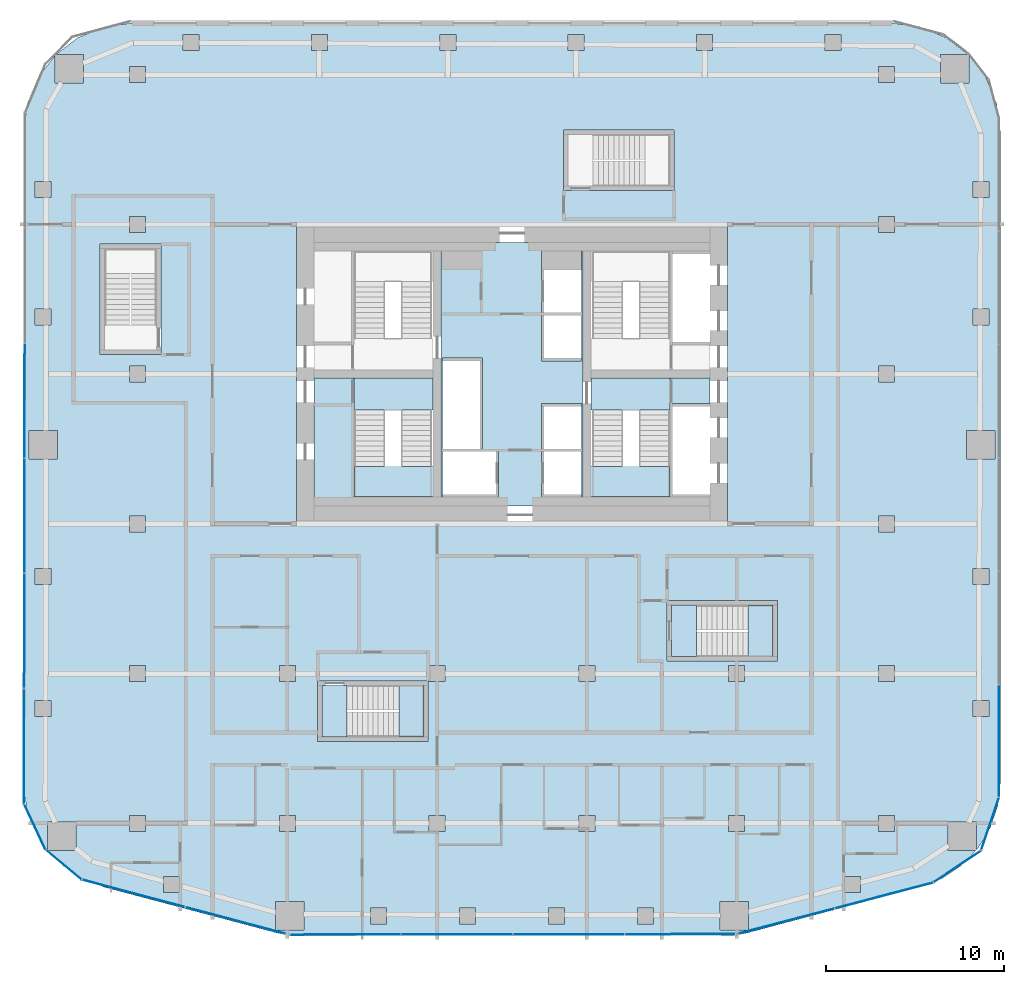
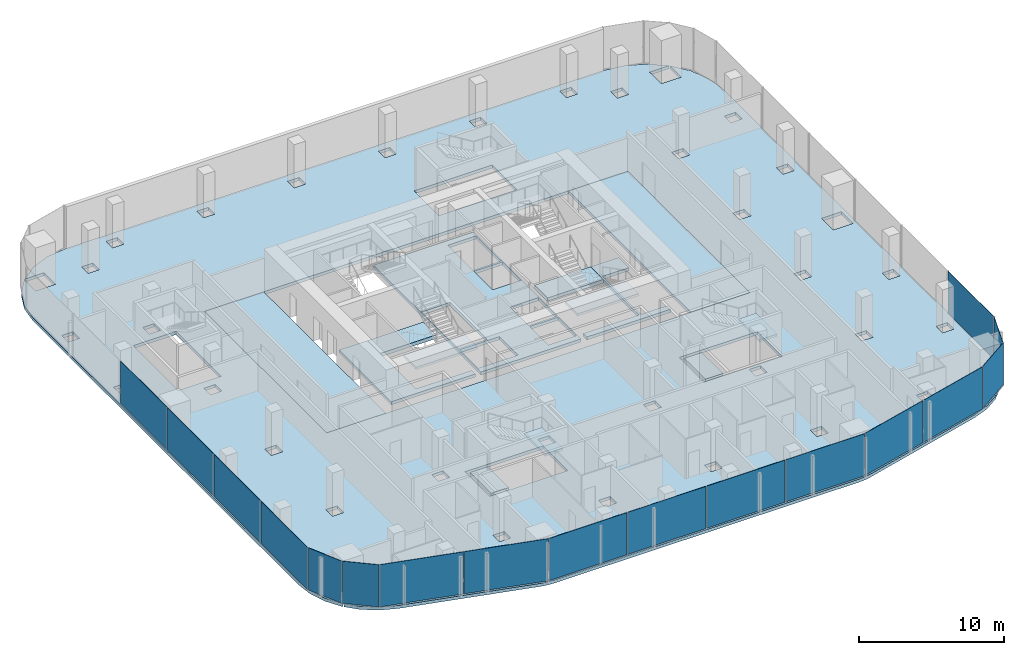
# One storey, part 12 of 21: 17 plates, 14 slabs, 13 elements without a shape of their own.
"""IFC4 building model written with IfcOpenShell, lengths in metres."""

from ifc_helpers import new_model, si_unit, direction, frame, origin, origin_2d, place, context, subcontext, project, spatial, polyline, rectangle, outline, extrude, material, layer, layer_set, type_object, element, aggregate, save


model = new_model("IFC4")

# Units and contexts
model_context = context("Model", 3, precision=1e-05, world=origin(), true_north=direction((0.0, 1.0)))
body_context = subcontext(model_context, "Body", "Model", "MODEL_VIEW")
ifc_project = project(units=[si_unit("LENGTHUNIT", "METRE"), si_unit("AREAUNIT", "SQUARE_METRE"), si_unit("VOLUMEUNIT", "CUBIC_METRE"), si_unit("PLANEANGLEUNIT", "RADIAN"), si_unit("MASSUNIT", "GRAM", prefix="KILO")], contexts=[model_context])

# Site, building, storey
site_placement = place(None, origin())
site = spatial("IfcSite", under=ifc_project, at=site_placement, CompositionType="ELEMENT")
building_placement = place(site_placement, origin())
building = spatial("IfcBuilding", under=site, at=building_placement, Name="Marenta Gate Hotel Tower", CompositionType="ELEMENT")
storey_placement = place(building_placement, frame((0.0, 0.0, 133.699951171875)))
storey = spatial("IfcBuildingStorey", under=building, at=storey_placement, Name="L30", CompositionType="ELEMENT", Elevation=133.699951171875)

# Slabs
ifc_material_1 = material(Name="Concrete C35", Category="concrete")
ifc_layer_1 = layer(ifc_material_1, 0.260009765625)
ifc_layer_set_1 = layer_set([ifc_layer_1], Name="Concrete C35")
slab_type_1 = type_object("IfcSlabType", Name="Concrete floor slab 260", PredefinedType="FLOOR", material=ifc_layer_set_1)
slab_1_placement = place(storey_placement, frame((0.0, 0.0, -0.260009765625)))
element("IfcSlab", 1, at=slab_1_placement, inside=storey, type_object=slab_type_1, Name="L30-SL-1", PredefinedType="FLOOR", context=body_context, shape_type="SweptSolid", body=[
    extrude(outline(polyline([(-25.213623046875, -19.1640625), (-26.011474609375, -18.3330078125), (-24.462890625, -18.3330078125), (-24.462890625, -16.73291015625), (-26.06298828125, -16.73291015625), (-26.06298828125, -18.279296875), (-26.13525390625, -18.2041015625), (-26.826904296875, -17.06689453125), (-27.25537109375, -15.80712890625), (-27.39990234375, -14.48974609375), (-27.39990234375, 22.006591796875), (-27.193115234375, 23.5791015625), (-26.58349609375, 25.050537109375), (-25.635498046875, 26.285888671875), (-25.635498046875, 24.735595703125), (-24.035400390625, 24.735595703125), (-24.035400390625, 26.33544921875), (-25.585693359375, 26.33544921875), (-24.350341796875, 27.283447265625), (-22.87890625, 27.89306640625), (-21.306640625, 28.10009765625), (21.306640625, 28.10009765625), (22.87890625, 27.89306640625), (24.350341796875, 27.283447265625), (25.585693359375, 26.33544921875), (24.035400390625, 26.33544921875), (24.035400390625, 24.735595703125), (25.635498046875, 24.735595703125), (25.635498046875, 26.285888671875), (26.58349609375, 25.050537109375), (27.193115234375, 23.5791015625), (27.39990234375, 22.006591796875), (27.39990234375, -14.48974609375), (27.25537109375, -15.80712890625), (26.826904296875, -17.06689453125), (26.13525390625, -18.2041015625), (26.06298828125, -18.279296875), (26.06298828125, -16.73291015625), (24.462890625, -16.73291015625), (24.462890625, -18.3330078125), (26.011474609375, -18.3330078125), (25.213623046875, -19.1640625), (24.105712890625, -19.9013671875), (22.86962890625, -20.37890625), (13.126708984375, -22.963623046875), (12.608642578125, -23.065673828125), (12.08154296875, -23.10009765625), (-12.08154296875, -23.10009765625), (-12.608642578125, -23.065673828125), (-13.126708984375, -22.963623046875), (-22.86962890625, -20.37890625), (-24.105712890625, -19.9013671875), (-25.213623046875, -19.1640625)]), holes=[polyline([(-16.800048828125, 0.0), (16.800048828125, 0.0), (16.800048828125, 16.800048828125), (-16.800048828125, 16.800048828125), (-16.800048828125, 0.0)]), polyline([(-18.65673828125, -19.7890625), (-19.556884765625, -19.7890625), (-19.556884765625, -20.689208984375), (-18.65673828125, -20.689208984375), (-18.65673828125, -19.7890625)]), polyline([(-20.550048828125, -17.25), (-20.550048828125, -16.35009765625), (-21.449951171875, -16.35009765625), (-21.449951171875, -17.25), (-20.550048828125, -17.25)]), polyline([(-12.14990234375, -16.35009765625), (-13.050048828125, -16.35009765625), (-13.050048828125, -17.25), (-12.14990234375, -17.25), (-12.14990234375, -16.35009765625)]), polyline([(-25.85009765625, -10.802001953125), (-25.85009765625, -9.90185546875), (-26.75, -9.90185546875), (-26.75, -10.802001953125), (-25.85009765625, -10.802001953125)]), polyline([(-20.550048828125, -8.85009765625), (-20.550048828125, -7.949951171875), (-21.449951171875, -7.949951171875), (-21.449951171875, -8.85009765625), (-20.550048828125, -8.85009765625)]), polyline([(-25.85009765625, -2.5009765625), (-26.75, -2.5009765625), (-26.75, -3.40087890625), (-25.85009765625, -3.40087890625), (-25.85009765625, -2.5009765625)]), polyline([(-20.550048828125, -0.449951171875), (-20.550048828125, 0.449951171875), (-21.449951171875, 0.449951171875), (-21.449951171875, -0.449951171875), (-20.550048828125, -0.449951171875)]), polyline([(-25.5, 3.64990234375), (-25.5, 5.25), (-27.10009765625, 5.25), (-27.10009765625, 3.64990234375), (-25.5, 3.64990234375)]), polyline([(-20.550048828125, 8.85009765625), (-21.449951171875, 8.85009765625), (-21.449951171875, 7.949951171875), (-20.550048828125, 7.949951171875), (-20.550048828125, 8.85009765625)]), polyline([(-25.85009765625, 11.1533203125), (-25.85009765625, 12.05322265625), (-26.75, 12.05322265625), (-26.75, 11.1533203125), (-25.85009765625, 11.1533203125)]), polyline([(-20.550048828125, 16.35009765625), (-20.550048828125, 17.25), (-21.449951171875, 17.25), (-21.449951171875, 16.35009765625), (-20.550048828125, 16.35009765625)]), polyline([(-25.85009765625, 19.206298828125), (-26.75, 19.206298828125), (-26.75, 18.306396484375), (-25.85009765625, 18.306396484375), (-25.85009765625, 19.206298828125)]), polyline([(-20.550048828125, 24.75), (-20.550048828125, 25.64990234375), (-21.449951171875, 25.64990234375), (-21.449951171875, 24.75), (-20.550048828125, 24.75)]), polyline([(-17.556884765625, 27.449951171875), (-18.456787109375, 27.449951171875), (-18.456787109375, 26.550048828125), (-17.556884765625, 26.550048828125), (-17.556884765625, 27.449951171875)]), polyline([(-7.030029296875, -22.449951171875), (-7.030029296875, -21.550048828125), (-7.93017578125, -21.550048828125), (-7.93017578125, -22.449951171875), (-7.030029296875, -22.449951171875)]), polyline([(-2.04345703125, -22.449951171875), (-2.04345703125, -21.550048828125), (-2.943359375, -21.550048828125), (-2.943359375, -22.449951171875), (-2.04345703125, -22.449951171875)]), polyline([(2.943359375, -21.550048828125), (2.04345703125, -21.550048828125), (2.04345703125, -22.449951171875), (2.943359375, -22.449951171875), (2.943359375, -21.550048828125)]), polyline([(7.93017578125, -22.449951171875), (7.93017578125, -21.550048828125), (7.030029296875, -21.550048828125), (7.030029296875, -22.449951171875), (7.93017578125, -22.449951171875)]), polyline([(-11.666259765625, -22.77490234375), (-11.666259765625, -21.1748046875), (-13.266357421875, -21.1748046875), (-13.266357421875, -22.77490234375), (-11.666259765625, -22.77490234375)]), polyline([(13.266357421875, -21.1748046875), (11.666259765625, -21.1748046875), (11.666259765625, -22.77490234375), (13.266357421875, -22.77490234375), (13.266357421875, -21.1748046875)]), polyline([(-3.75, -17.25), (-3.75, -16.35009765625), (-4.64990234375, -16.35009765625), (-4.64990234375, -17.25), (-3.75, -17.25)]), polyline([(4.64990234375, -17.25), (4.64990234375, -16.35009765625), (3.75, -16.35009765625), (3.75, -17.25), (4.64990234375, -17.25)]), polyline([(13.050048828125, -16.35009765625), (12.14990234375, -16.35009765625), (12.14990234375, -17.25), (13.050048828125, -17.25), (13.050048828125, -16.35009765625)]), polyline([(-12.14990234375, -8.85009765625), (-12.14990234375, -7.949951171875), (-13.050048828125, -7.949951171875), (-13.050048828125, -8.85009765625), (-12.14990234375, -8.85009765625)]), polyline([(-3.75, -8.85009765625), (-3.75, -7.949951171875), (-4.64990234375, -7.949951171875), (-4.64990234375, -8.85009765625), (-3.75, -8.85009765625)]), polyline([(4.64990234375, -7.949951171875), (3.75, -7.949951171875), (3.75, -8.85009765625), (4.64990234375, -8.85009765625), (4.64990234375, -7.949951171875)]), polyline([(-10.35400390625, 26.550048828125), (-10.35400390625, 27.449951171875), (-11.254150390625, 27.449951171875), (-11.254150390625, 26.550048828125), (-10.35400390625, 26.550048828125)]), polyline([(-3.1513671875, 26.550048828125), (-3.1513671875, 27.449951171875), (-4.051513671875, 27.449951171875), (-4.051513671875, 26.550048828125), (-3.1513671875, 26.550048828125)]), polyline([(4.051513671875, 27.449951171875), (3.1513671875, 27.449951171875), (3.1513671875, 26.550048828125), (4.051513671875, 26.550048828125), (4.051513671875, 27.449951171875)]), polyline([(11.254150390625, 26.550048828125), (11.254150390625, 27.449951171875), (10.35400390625, 27.449951171875), (10.35400390625, 26.550048828125), (11.254150390625, 26.550048828125)]), polyline([(19.556884765625, -20.689208984375), (19.556884765625, -19.7890625), (18.65673828125, -19.7890625), (18.65673828125, -20.689208984375), (19.556884765625, -20.689208984375)]), polyline([(21.449951171875, -17.25), (21.449951171875, -16.35009765625), (20.550048828125, -16.35009765625), (20.550048828125, -17.25), (21.449951171875, -17.25)]), polyline([(26.75, -10.802001953125), (26.75, -9.90185546875), (25.85009765625, -9.90185546875), (25.85009765625, -10.802001953125), (26.75, -10.802001953125)]), polyline([(13.050048828125, -7.949951171875), (12.14990234375, -7.949951171875), (12.14990234375, -8.85009765625), (13.050048828125, -8.85009765625), (13.050048828125, -7.949951171875)]), polyline([(21.449951171875, -8.85009765625), (21.449951171875, -7.949951171875), (20.550048828125, -7.949951171875), (20.550048828125, -8.85009765625), (21.449951171875, -8.85009765625)]), polyline([(26.75, -3.40087890625), (26.75, -2.5009765625), (25.85009765625, -2.5009765625), (25.85009765625, -3.40087890625), (26.75, -3.40087890625)]), polyline([(21.449951171875, 0.449951171875), (20.550048828125, 0.449951171875), (20.550048828125, -0.449951171875), (21.449951171875, -0.449951171875), (21.449951171875, 0.449951171875)]), polyline([(27.10009765625, 3.64990234375), (27.10009765625, 5.25), (25.5, 5.25), (25.5, 3.64990234375), (27.10009765625, 3.64990234375)]), polyline([(21.449951171875, 7.949951171875), (21.449951171875, 8.85009765625), (20.550048828125, 8.85009765625), (20.550048828125, 7.949951171875), (21.449951171875, 7.949951171875)]), polyline([(26.75, 12.05322265625), (25.85009765625, 12.05322265625), (25.85009765625, 11.1533203125), (26.75, 11.1533203125), (26.75, 12.05322265625)]), polyline([(21.449951171875, 16.35009765625), (21.449951171875, 17.25), (20.550048828125, 17.25), (20.550048828125, 16.35009765625), (21.449951171875, 16.35009765625)]), polyline([(26.75, 18.306396484375), (26.75, 19.206298828125), (25.85009765625, 19.206298828125), (25.85009765625, 18.306396484375), (26.75, 18.306396484375)]), polyline([(21.449951171875, 25.64990234375), (20.550048828125, 25.64990234375), (20.550048828125, 24.75), (21.449951171875, 24.75), (21.449951171875, 25.64990234375)]), polyline([(18.456787109375, 26.550048828125), (18.456787109375, 27.449951171875), (17.556884765625, 27.449951171875), (17.556884765625, 26.550048828125), (18.456787109375, 26.550048828125)]), polyline([(-10.89990234375, -12.199951171875), (-4.699951171875, -12.199951171875), (-4.699951171875, -8.800048828125), (-10.89990234375, -8.800048828125), (-10.89990234375, -12.199951171875)]), polyline([(8.699951171875, -7.699951171875), (14.89990234375, -7.699951171875), (14.89990234375, -4.300048828125), (8.699951171875, -4.300048828125), (8.699951171875, -7.699951171875)]), polyline([(-23.10009765625, 9.5), (-19.699951171875, 9.5), (-19.699951171875, 15.699951171875), (-23.10009765625, 15.699951171875), (-23.10009765625, 9.5)]), polyline([(2.89990234375, 18.699951171875), (9.10009765625, 18.699951171875), (9.10009765625, 22.10009765625), (2.89990234375, 22.10009765625), (2.89990234375, 18.699951171875)])]), origin(), (0.0, 0.0, 1.0), 0.260009765625),
])
ifc_material_2 = material(Name="Concrete C40", Category="concrete")
ifc_layer_2 = layer(ifc_material_2, 0.260009765625)
ifc_layer_set_2 = layer_set([ifc_layer_2], Name="Concrete C40")
slab_type_2 = type_object("IfcSlabType", Name="Core floor slab 260", PredefinedType="FLOOR", material=ifc_layer_set_2)
slab_2_placement = place(storey_placement, frame((0.0, 0.0, -0.260009765625)))
element("IfcSlab", 2, at=slab_2_placement, inside=storey, type_object=slab_type_2, Name="L30-CF-1", PredefinedType="FLOOR", context=body_context, shape_type="SweptSolid", body=[
    extrude(outline(polyline([(12.10009765625, 0.0), (12.10009765625, 16.800048828125), (16.800048828125, 16.800048828125), (16.800048828125, 0.0), (12.10009765625, 0.0)])), origin(), (0.0, 0.0, 1.0), 0.260009765625),
])
slab_3_placement = place(storey_placement, frame((0.0, 0.0, -0.260009765625)))
element("IfcSlab", 3, at=slab_3_placement, inside=storey, type_object=slab_type_2, Name="L30-CF-2", PredefinedType="FLOOR", context=body_context, shape_type="SweptSolid", body=[
    extrude(outline(polyline([(8.85009765625, 1.5), (8.85009765625, 6.39990234375), (8.85009765625, 8.10009765625), (8.85009765625, 8.175048828125), (11.10009765625, 8.175048828125), (11.10009765625, 6.75), (9.0, 6.75), (9.0, 6.60009765625), (9.0, 4.199951171875), (9.0, 4.050048828125), (9.0, 1.64990234375), (9.0, 1.5), (11.10009765625, 1.5), (11.10009765625, 1.0), (4.425048828125, 1.0), (4.425048828125, 1.5), (8.85009765625, 1.5)])), origin(), (0.0, 0.0, 1.0), 0.260009765625),
])
slab_4_placement = place(storey_placement, frame((0.0, 0.0, -0.260009765625)))
element("IfcSlab", 4, at=slab_4_placement, inside=storey, type_object=slab_type_2, Name="L30-CF-4", PredefinedType="FLOOR", context=body_context, shape_type="SweptSolid", body=[
    extrude(outline(polyline([(3.97509765625, 15.300048828125), (3.97509765625, 10.39990234375), (3.97509765625, 6.39990234375), (3.97509765625, 1.5), (3.97509765625, 1.0), (-3.97509765625, 1.0), (-3.97509765625, 1.5), (-3.97509765625, 6.39990234375), (-3.97509765625, 10.39990234375), (-3.97509765625, 15.300048828125), (-3.97509765625, 15.800048828125), (3.97509765625, 15.800048828125), (3.97509765625, 15.300048828125)]), holes=[polyline([(1.64990234375, 1.5), (3.89990234375, 1.5), (3.89990234375, 1.64990234375), (3.89990234375, 4.050048828125), (1.800048828125, 4.050048828125), (1.64990234375, 4.050048828125), (1.64990234375, 1.64990234375), (1.64990234375, 1.5)]), polyline([(1.64990234375, 6.60009765625), (1.64990234375, 4.199951171875), (1.800048828125, 4.199951171875), (3.89990234375, 4.199951171875), (3.89990234375, 6.60009765625), (3.89990234375, 6.75), (1.64990234375, 6.75), (1.64990234375, 6.60009765625)]), polyline([(1.64990234375, 9.14990234375), (3.89990234375, 9.14990234375), (3.89990234375, 9.300048828125), (3.89990234375, 11.699951171875), (1.800048828125, 11.699951171875), (1.64990234375, 11.699951171875), (1.64990234375, 9.300048828125), (1.64990234375, 9.14990234375)]), polyline([(1.64990234375, 15.300048828125), (1.64990234375, 14.25), (1.64990234375, 11.85009765625), (1.800048828125, 11.85009765625), (3.89990234375, 11.85009765625), (3.89990234375, 14.25), (3.89990234375, 15.300048828125), (1.64990234375, 15.300048828125)]), polyline([(-3.89990234375, 4.050048828125), (-3.89990234375, 1.64990234375), (-3.89990234375, 1.5), (-0.89990234375, 1.5), (-0.75, 1.5), (-0.75, 4.050048828125), (-0.89990234375, 4.050048828125), (-3.89990234375, 4.050048828125)]), polyline([(-1.800048828125, 4.199951171875), (-1.64990234375, 4.199951171875), (-1.64990234375, 9.14990234375), (-1.64990234375, 9.300048828125), (-3.89990234375, 9.300048828125), (-3.89990234375, 9.14990234375), (-3.89990234375, 6.75), (-3.89990234375, 6.60009765625), (-3.89990234375, 4.199951171875), (-1.800048828125, 4.199951171875)])]), origin(), (0.0, 0.0, 1.0), 0.260009765625),
])
slab_5_placement = place(storey_placement, frame((0.0, 0.0, -0.260009765625)))
element("IfcSlab", 5, at=slab_5_placement, inside=storey, type_object=slab_type_2, Name="L30-CF-5", PredefinedType="FLOOR", context=body_context, shape_type="SweptSolid", body=[
    extrude(outline(polyline([(-8.85009765625, 8.175048828125), (-8.85009765625, 8.10009765625), (-8.85009765625, 6.39990234375), (-8.85009765625, 1.5), (-4.425048828125, 1.5), (-4.425048828125, 1.0), (-11.10009765625, 1.0), (-11.10009765625, 8.175048828125), (-8.85009765625, 8.175048828125)])), origin(), (0.0, 0.0, 1.0), 0.260009765625),
])
slab_6_placement = place(storey_placement, frame((0.0, 0.0, -0.260009765625)))
element("IfcSlab", 6, at=slab_6_placement, inside=storey, type_object=slab_type_2, Name="L30-CF-7", PredefinedType="FLOOR", context=body_context, shape_type="SweptSolid", body=[
    extrude(outline(polyline([(-12.10009765625, 16.800048828125), (-12.10009765625, 0.0), (-16.800048828125, 0.0), (-16.800048828125, 16.800048828125), (-12.10009765625, 16.800048828125)])), origin(), (0.0, 0.0, 1.0), 0.260009765625),
])

# Stair, slab
ifc_material_3 = material(Name="Concrete C40", Category="concrete")
stair_type_1 = type_object("IfcStairType", Name="Core exit stair 1700 wide", PredefinedType="HALF_TURN_STAIR", material=ifc_material_3)
stair_1_placement = place(storey_placement, origin())
stair_1 = element("IfcStair", 7, at=stair_1_placement, inside=storey, type_object=stair_type_1, Name="Exit stair 1", PredefinedType="HALF_TURN_STAIR")
ifc_material_4 = material(Name="Concrete C40", Category="concrete")
ifc_layer_3 = layer(ifc_material_4, 0.199951171875)
ifc_layer_set_3 = layer_set([ifc_layer_3], Name="Concrete C40")
slab_type_3 = type_object("IfcSlabType", Name="Core stair landing 200", PredefinedType="LANDING", material=ifc_layer_set_3)
slab_7_placement = place(storey_placement, frame((0.0, 0.0, 1.60009765625)))
slab_7 = element("IfcSlab", 8, at=slab_7_placement, type_object=slab_type_3, Name="SL-200 ST1 landing 1", PredefinedType="LANDING", context=body_context, shape_type="SweptSolid", body=[
    extrude(outline(polyline([(-8.85009765625, 1.5), (-3.97509765625, 1.5), (-3.97509765625, 3.2099609375), (-8.85009765625, 3.2099609375), (-8.85009765625, 1.5)])), origin(), (0.0, 0.0, 1.0), 0.199951171875),
])
aggregate(stair_1, [slab_7])

stair_2_placement = place(storey_placement, origin())
stair_2 = element("IfcStair", 9, at=stair_2_placement, inside=storey, type_object=stair_type_1, Name="Exit stair 3", PredefinedType="HALF_TURN_STAIR")
slab_8_placement = place(storey_placement, frame((0.0, 0.0, 1.60009765625)))
slab_8 = element("IfcSlab", 10, at=slab_8_placement, type_object=slab_type_3, Name="SL-200 ST3 landing 1", PredefinedType="LANDING", context=body_context, shape_type="SweptSolid", body=[
    extrude(outline(polyline([(3.97509765625, 1.5), (8.85009765625, 1.5), (8.85009765625, 3.2099609375), (3.97509765625, 3.2099609375), (3.97509765625, 1.5)])), origin(), (0.0, 0.0, 1.0), 0.199951171875),
])
aggregate(stair_2, [slab_8])

# Curtain wall, plates
ifc_material_5 = material(Name="Tinted insulated glass in bronze anodised frame", Category="glass")
ifc_layer_4 = layer(ifc_material_5, 0.1201171875)
ifc_layer_set_4 = layer_set([ifc_layer_4], Name="Tinted insulated glass in bronze anodised frame")
curtain_wall_type = type_object("IfcCurtainWallType", Name="Tower unitised curtain wall CW1", PredefinedType="NOTDEFINED", material=ifc_layer_set_4)
curtain_wall_1_placement = place(storey_placement, origin())
curtain_wall_1 = element("IfcCurtainWall", 11, at=curtain_wall_1_placement, inside=storey, type_object=curtain_wall_type, Name="CW1 run G03", PredefinedType="NOTDEFINED")
ifc_material_6 = material(Name="Tinted insulated glass", Category="glass")
ifc_layer_5 = layer(ifc_material_6, 0.028076171875)
ifc_layer_set_5 = layer_set([ifc_layer_5], Name="Tinted insulated glass")
plate_type = type_object("IfcPlateType", Name="Glass panel CW1 28 mm tinted insulated unit", PredefinedType="CURTAIN_PANEL", material=ifc_layer_set_5)
plate_1_placement = place(storey_placement, frame((-27.337646484375, 6.916259765625, 0.06005859375), z_axis=(0.0, 0.0, 1.0), x_axis=(-0.001566045546, -0.99999877375, 0.0)))
plate_1 = element("IfcPlate", 12, at=plate_1_placement, type_object=plate_type, Name="CW1 panel 3.1", PredefinedType="CURTAIN_PANEL", context=body_context, shape_type="SweptSolid", body=[
    extrude(rectangle(XDim=6.39990234375, YDim=0.028076171875, at=origin_2d()), origin(), (0.0, 0.0, 1.0), 3.5400390625),
])
plate_2_placement = place(storey_placement, frame((-27.34765625, 0.456298828125, 0.06005859375), z_axis=(0.0, 0.0, 1.0), x_axis=(-0.001566045546, -0.99999877375, 0.0)))
plate_2 = element("IfcPlate", 13, at=plate_2_placement, type_object=plate_type, Name="CW1 panel 4.1", PredefinedType="CURTAIN_PANEL", context=body_context, shape_type="SweptSolid", body=[
    extrude(rectangle(XDim=6.39990234375, YDim=0.028076171875, at=origin_2d()), origin(), (0.0, 0.0, 1.0), 3.5400390625),
])
plate_3_placement = place(storey_placement, frame((-27.35791015625, -6.00390625, 0.06005859375), z_axis=(0.0, 0.0, 1.0), x_axis=(-0.001566045546, -0.99999877375, 0.0)))
plate_3 = element("IfcPlate", 14, at=plate_3_placement, type_object=plate_type, Name="CW1 panel 5.1", PredefinedType="CURTAIN_PANEL", context=body_context, shape_type="SweptSolid", body=[
    extrude(rectangle(XDim=6.39990234375, YDim=0.028076171875, at=origin_2d()), origin(), (0.0, 0.0, 1.0), 3.5400390625),
])
plate_4_placement = place(storey_placement, frame((-27.367919921875, -12.478759765625, 0.06005859375), z_axis=(0.0, 0.0, 1.0), x_axis=(-0.001566045546, -0.99999877375, 0.0)))
plate_4 = element("IfcPlate", 15, at=plate_4_placement, type_object=plate_type, Name="CW1 panel 6.1", PredefinedType="CURTAIN_PANEL", context=body_context, shape_type="SweptSolid", body=[
    extrude(rectangle(XDim=6.429931640625, YDim=0.028076171875, at=origin_2d()), origin(), (0.0, 0.0, 1.0), 3.5400390625),
])
aggregate(curtain_wall_1, [plate_1, plate_2, plate_3, plate_4])

# Curtain wall, plate
curtain_wall_2_placement = place(storey_placement, origin())
curtain_wall_2 = element("IfcCurtainWall", 16, at=curtain_wall_2_placement, inside=storey, type_object=curtain_wall_type, Name="CW1 run G04", PredefinedType="NOTDEFINED")
plate_5_placement = place(storey_placement, frame((-26.76123046875, -17.0029296875, 0.06005859375), z_axis=(0.0, 0.0, 1.0), x_axis=(0.423338088163, -0.905971778319, 0.0)))
plate_5 = element("IfcPlate", 17, at=plate_5_placement, type_object=plate_type, Name="CW1 panel 1.1", PredefinedType="CURTAIN_PANEL", context=body_context, shape_type="SweptSolid", body=[
    extrude(rectangle(XDim=2.77001953125, YDim=0.028076171875, at=origin_2d()), origin(), (0.0, 0.0, 1.0), 3.5400390625),
])
aggregate(curtain_wall_2, [plate_5])

curtain_wall_3_placement = place(storey_placement, origin())
curtain_wall_3 = element("IfcCurtainWall", 18, at=curtain_wall_3_placement, inside=storey, type_object=curtain_wall_type, Name="CW1 run G05", PredefinedType="NOTDEFINED")
plate_6_placement = place(storey_placement, frame((-25.14111328125, -19.1220703125, 0.06005859375), z_axis=(0.0, 0.0, 1.0), x_axis=(0.767112858807, -0.641512168126, 0.0)))
plate_6 = element("IfcPlate", 19, at=plate_6_placement, type_object=plate_type, Name="CW1 panel 1.1", PredefinedType="CURTAIN_PANEL", context=body_context, shape_type="SweptSolid", body=[
    extrude(rectangle(XDim=2.5751953125, YDim=0.028076171875, at=origin_2d()), origin(), (0.0, 0.0, 1.0), 3.5400390625),
])
aggregate(curtain_wall_3, [plate_6])

# Curtain wall, plates
curtain_wall_4_placement = place(storey_placement, origin())
curtain_wall_4 = element("IfcCurtainWall", 20, at=curtain_wall_4_placement, inside=storey, type_object=curtain_wall_type, Name="CW1 run G06", PredefinedType="NOTDEFINED")
plate_7_placement = place(storey_placement, frame((-21.22705078125, -20.726806640625, 0.06005859375), z_axis=(0.0, 0.0, 1.0), x_axis=(0.966373195468, -0.257143631229, 0.0)))
plate_7 = element("IfcPlate", 21, at=plate_7_placement, type_object=plate_type, Name="CW1 panel 1.1", PredefinedType="CURTAIN_PANEL", context=body_context, shape_type="SweptSolid", body=[
    extrude(rectangle(XDim=5.936279296875, YDim=0.028076171875, at=origin_2d()), origin(), (0.0, 0.0, 1.0), 3.5400390625),
])
plate_8_placement = place(storey_placement, frame((-15.4033203125, -22.276611328125, 0.06005859375), z_axis=(0.0, 0.0, 1.0), x_axis=(0.966373195468, -0.257143631229, 0.0)))
plate_8 = element("IfcPlate", 22, at=plate_8_placement, type_object=plate_type, Name="CW1 panel 2.1", PredefinedType="CURTAIN_PANEL", context=body_context, shape_type="SweptSolid", body=[
    extrude(rectangle(XDim=5.996337890625, YDim=0.028076171875, at=origin_2d()), origin(), (0.0, 0.0, 1.0), 3.5400390625),
])
aggregate(curtain_wall_4, [plate_7, plate_8])

curtain_wall_5_placement = place(storey_placement, origin())
curtain_wall_5 = element("IfcCurtainWall", 23, at=curtain_wall_5_placement, inside=storey, type_object=curtain_wall_type, Name="CW1 run G07", PredefinedType="NOTDEFINED")
plate_9_placement = place(storey_placement, frame((-9.35302734375, -23.043212890625, 0.06005859375), z_axis=(0.0, 0.0, 1.0), x_axis=(0.999999072004, 0.001362347707, 0.0)))
plate_9 = element("IfcPlate", 24, at=plate_9_placement, type_object=plate_type, Name="CW1 panel 1.1", PredefinedType="CURTAIN_PANEL", context=body_context, shape_type="SweptSolid", body=[
    extrude(rectangle(XDim=6.18603515625, YDim=0.028076171875, at=origin_2d()), origin(), (0.0, 0.0, 1.0), 3.5400390625),
])
plate_10_placement = place(storey_placement, frame((-3.092041015625, -23.03466796875, 0.06005859375), z_axis=(0.0, 0.0, 1.0), x_axis=(0.999999072004, 0.001362347707, 0.0)))
plate_10 = element("IfcPlate", 25, at=plate_10_placement, type_object=plate_type, Name="CW1 panel 2.1", PredefinedType="CURTAIN_PANEL", context=body_context, shape_type="SweptSolid", body=[
    extrude(rectangle(XDim=6.2158203125, YDim=0.028076171875, at=origin_2d()), origin(), (0.0, 0.0, 1.0), 3.5400390625),
])
plate_11_placement = place(storey_placement, frame((3.183837890625, -23.026123046875, 0.06005859375), z_axis=(0.0, 0.0, 1.0), x_axis=(0.999999072004, 0.001362347707, 0.0)))
plate_11 = element("IfcPlate", 26, at=plate_11_placement, type_object=plate_type, Name="CW1 panel 3.1", PredefinedType="CURTAIN_PANEL", context=body_context, shape_type="SweptSolid", body=[
    extrude(rectangle(XDim=6.2158203125, YDim=0.028076171875, at=origin_2d()), origin(), (0.0, 0.0, 1.0), 3.5400390625),
])
plate_12_placement = place(storey_placement, frame((9.474853515625, -23.017578125, 0.06005859375), z_axis=(0.0, 0.0, 1.0), x_axis=(0.999999072004, 0.001362347707, 0.0)))
plate_12 = element("IfcPlate", 27, at=plate_12_placement, type_object=plate_type, Name="CW1 panel 4.1", PredefinedType="CURTAIN_PANEL", context=body_context, shape_type="SweptSolid", body=[
    extrude(rectangle(XDim=6.245849609375, YDim=0.028076171875, at=origin_2d()), origin(), (0.0, 0.0, 1.0), 3.5400390625),
])
aggregate(curtain_wall_5, [plate_9, plate_10, plate_11, plate_12])

curtain_wall_6_placement = place(storey_placement, origin())
curtain_wall_6 = element("IfcCurtainWall", 28, at=curtain_wall_6_placement, inside=storey, type_object=curtain_wall_type, Name="CW1 run G08", PredefinedType="NOTDEFINED")
plate_13_placement = place(storey_placement, frame((15.36474609375, -22.28857421875, 0.06005859375), z_axis=(0.0, 0.0, 1.0), x_axis=(0.967368326473, 0.253374270473, 0.0)))
plate_13 = element("IfcPlate", 29, at=plate_13_placement, type_object=plate_type, Name="CW1 panel 1.1", PredefinedType="CURTAIN_PANEL", context=body_context, shape_type="SweptSolid", body=[
    extrude(rectangle(XDim=5.6005859375, YDim=0.028076171875, at=origin_2d()), origin(), (0.0, 0.0, 1.0), 3.5400390625),
])
plate_14_placement = place(storey_placement, frame((20.86962890625, -20.8466796875, 0.06005859375), z_axis=(0.0, 0.0, 1.0), x_axis=(0.967368326473, 0.253374270473, 0.0)))
plate_14 = element("IfcPlate", 30, at=plate_14_placement, type_object=plate_type, Name="CW1 panel 2.1", PredefinedType="CURTAIN_PANEL", context=body_context, shape_type="SweptSolid", body=[
    extrude(rectangle(XDim=5.66064453125, YDim=0.028076171875, at=origin_2d()), origin(), (0.0, 0.0, 1.0), 3.5400390625),
])
aggregate(curtain_wall_6, [plate_13, plate_14])

# Curtain wall, plate
curtain_wall_7_placement = place(storey_placement, origin())
curtain_wall_7 = element("IfcCurtainWall", 31, at=curtain_wall_7_placement, inside=storey, type_object=curtain_wall_type, Name="CW1 run G09", PredefinedType="NOTDEFINED")
plate_15_placement = place(storey_placement, frame((24.981201171875, -19.215576171875, 0.06005859375), z_axis=(0.0, 0.0, 1.0), x_axis=(0.832505857051, 0.554016243423, 0.0)))
plate_15 = element("IfcPlate", 32, at=plate_15_placement, type_object=plate_type, Name="CW1 panel 1.1", PredefinedType="CURTAIN_PANEL", context=body_context, shape_type="SweptSolid", body=[
    extrude(rectangle(XDim=3.179931640625, YDim=0.028076171875, at=origin_2d()), origin(), (0.0, 0.0, 1.0), 3.5400390625),
])
aggregate(curtain_wall_7, [plate_15])

curtain_wall_8_placement = place(storey_placement, origin())
curtain_wall_8 = element("IfcCurtainWall", 33, at=curtain_wall_8_placement, inside=storey, type_object=curtain_wall_type, Name="CW1 run G10", PredefinedType="NOTDEFINED")
plate_16_placement = place(storey_placement, frame((26.819091796875, -16.822998046875, 0.06005859375), z_axis=(0.0, 0.0, 1.0), x_axis=(0.322033173773, 0.946728385013, 0.0)))
plate_16 = element("IfcPlate", 34, at=plate_16_placement, type_object=plate_type, Name="CW1 panel 1.1", PredefinedType="CURTAIN_PANEL", context=body_context, shape_type="SweptSolid", body=[
    extrude(rectangle(XDim=3.073486328125, YDim=0.028076171875, at=origin_2d()), origin(), (0.0, 0.0, 1.0), 3.5400390625),
])
aggregate(curtain_wall_8, [plate_16])

curtain_wall_9_placement = place(storey_placement, origin())
curtain_wall_9 = element("IfcCurtainWall", 35, at=curtain_wall_9_placement, inside=storey, type_object=curtain_wall_type, Name="CW1 run G11", PredefinedType="NOTDEFINED")
plate_17_placement = place(storey_placement, frame((27.31396484375, -12.173095703125, 0.06005859375), z_axis=(0.0, 0.0, 1.0), x_axis=(0.0, 1.0, 0.0)))
plate_17 = element("IfcPlate", 36, at=plate_17_placement, type_object=plate_type, Name="CW1 panel 1.1", PredefinedType="CURTAIN_PANEL", context=body_context, shape_type="SweptSolid", body=[
    extrude(rectangle(XDim=6.27001953125, YDim=0.028076171875, at=origin_2d()), origin(), (0.0, 0.0, 1.0), 3.5400390625),
])
aggregate(curtain_wall_9, [plate_17])

# Stair, slab
ifc_material_7 = material(Name="Concrete C40", Category="concrete")
stair_type_2 = type_object("IfcStairType", Name="Remote exit stair 1400 wide", PredefinedType="HALF_TURN_STAIR", material=ifc_material_7)
stair_3_placement = place(storey_placement, origin())
stair_3 = element("IfcStair", 37, at=stair_3_placement, inside=storey, type_object=stair_type_2, Name="Exit stair RS-Z2-1", PredefinedType="HALF_TURN_STAIR")
ifc_material_8 = material(Name="Concrete C40", Category="concrete")
ifc_layer_6 = layer(ifc_material_8, 0.199951171875)
ifc_layer_set_6 = layer_set([ifc_layer_6], Name="Concrete C40")
slab_type_4 = type_object("IfcSlabType", Name="Remote stair landing 200", PredefinedType="LANDING", material=ifc_layer_set_6)
slab_9_placement = place(storey_placement, frame((0.0, 0.0, 1.60009765625)))
slab_9 = element("IfcSlab", 38, at=slab_9_placement, type_object=slab_type_4, Name="RL-200 RS-Z2-1 landing 1", PredefinedType="LANDING", context=body_context, shape_type="SweptSolid", body=[
    extrude(outline(polyline([(-6.35009765625, -11.949951171875), (-4.949951171875, -11.949951171875), (-4.949951171875, -9.050048828125), (-6.35009765625, -9.050048828125), (-6.35009765625, -11.949951171875)])), origin(), (0.0, 0.0, 1.0), 0.199951171875),
])
aggregate(stair_3, [slab_9])

stair_4_placement = place(storey_placement, origin())
stair_4 = element("IfcStair", 39, at=stair_4_placement, inside=storey, type_object=stair_type_2, Name="Exit stair RS-Z2-2", PredefinedType="HALF_TURN_STAIR")
slab_10_placement = place(storey_placement, frame((0.0, 0.0, 1.60009765625)))
slab_10 = element("IfcSlab", 40, at=slab_10_placement, type_object=slab_type_4, Name="RL-200 RS-Z2-2 landing 1", PredefinedType="LANDING", context=body_context, shape_type="SweptSolid", body=[
    extrude(outline(polyline([(13.25, -7.449951171875), (14.64990234375, -7.449951171875), (14.64990234375, -4.550048828125), (13.25, -4.550048828125), (13.25, -7.449951171875)])), origin(), (0.0, 0.0, 1.0), 0.199951171875),
])
aggregate(stair_4, [slab_10])

# Slabs
ifc_material_9 = material(Name="Concrete C40", Category="concrete")
ifc_layer_7 = layer(ifc_material_9, 0.300048828125)
ifc_layer_set_7 = layer_set([ifc_layer_7], Name="Concrete C40")
slab_type_5 = type_object("IfcSlabType", Name="Stair floor landing slab 300", PredefinedType="FLOOR", material=ifc_layer_set_7)
slab_11_placement = place(storey_placement, frame((0.0, 0.0, -0.300048828125)))
element("IfcSlab", 41, at=slab_11_placement, inside=storey, type_object=slab_type_5, Name="L30-CL-ST1-1", PredefinedType="FLOOR", context=body_context, shape_type="SweptSolid", body=[
    extrude(outline(polyline([(-4.425048828125, 6.39990234375), (-8.85009765625, 6.39990234375), (-8.85009765625, 8.10009765625), (-8.85009765625, 8.175048828125), (-4.425048828125, 8.175048828125), (-4.425048828125, 6.39990234375)])), origin(), (0.0, 0.0, 1.0), 0.300048828125),
])
slab_12_placement = place(storey_placement, frame((0.0, 0.0, -0.300048828125)))
element("IfcSlab", 42, at=slab_12_placement, inside=storey, type_object=slab_type_5, Name="L30-CL-ST3-1", PredefinedType="FLOOR", context=body_context, shape_type="SweptSolid", body=[
    extrude(outline(polyline([(4.425048828125, 6.39990234375), (4.425048828125, 8.175048828125), (8.85009765625, 8.175048828125), (8.85009765625, 8.10009765625), (8.85009765625, 6.39990234375), (4.425048828125, 6.39990234375)])), origin(), (0.0, 0.0, 1.0), 0.300048828125),
])
slab_13_placement = place(storey_placement, frame((0.0, 0.0, -0.300048828125)))
element("IfcSlab", 43, at=slab_13_placement, inside=storey, type_object=slab_type_5, Name="L30-RS-Z2-1-CL", PredefinedType="FLOOR", context=body_context, shape_type="SweptSolid", body=[
    extrude(outline(polyline([(-9.25, -11.949951171875), (-9.25, -9.050048828125), (-10.64990234375, -9.050048828125), (-10.64990234375, -11.949951171875), (-9.25, -11.949951171875)])), origin(), (0.0, 0.0, 1.0), 0.300048828125),
])
slab_14_placement = place(storey_placement, frame((0.0, 0.0, -0.300048828125)))
element("IfcSlab", 44, at=slab_14_placement, inside=storey, type_object=slab_type_5, Name="L30-RS-Z2-2-CL", PredefinedType="FLOOR", context=body_context, shape_type="SweptSolid", body=[
    extrude(outline(polyline([(10.35009765625, -7.449951171875), (10.35009765625, -4.550048828125), (8.949951171875, -4.550048828125), (8.949951171875, -7.449951171875), (10.35009765625, -7.449951171875)])), origin(), (0.0, 0.0, 1.0), 0.300048828125),
])

save(model, "model.ifc")
